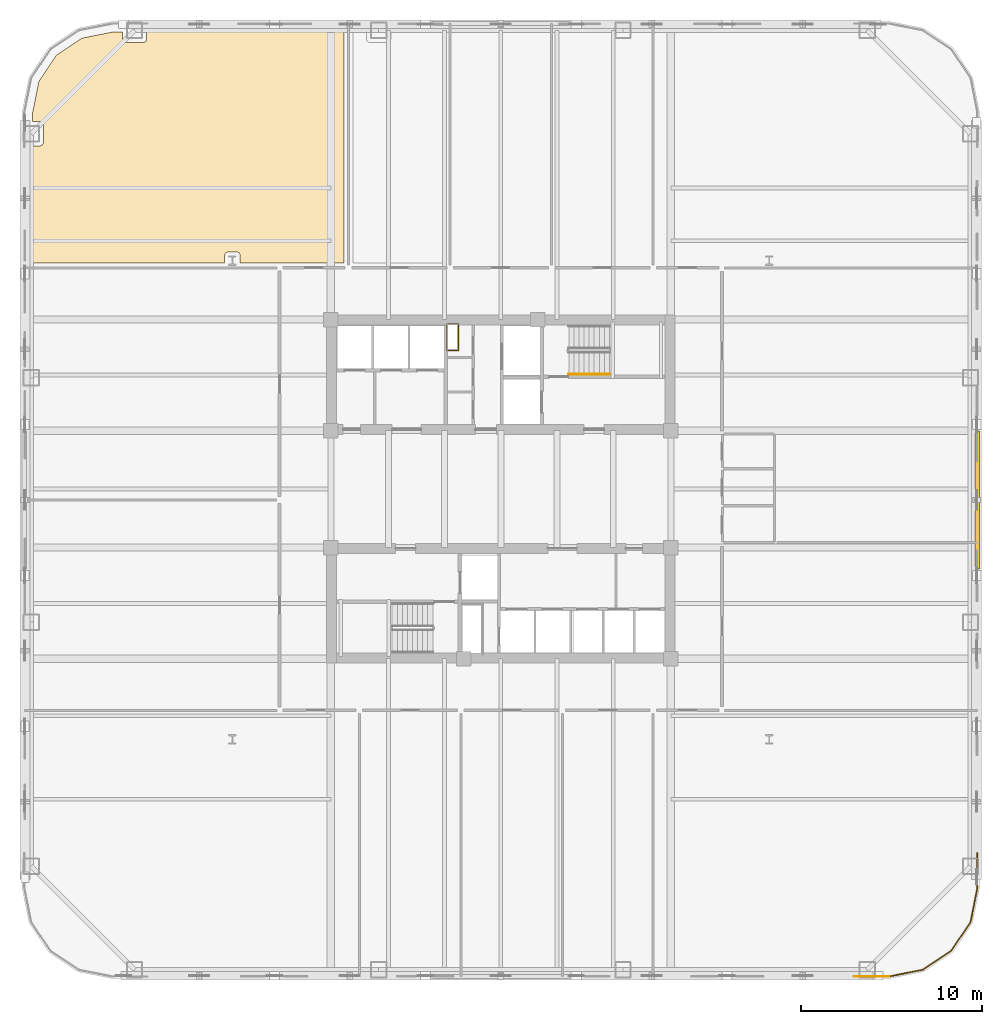
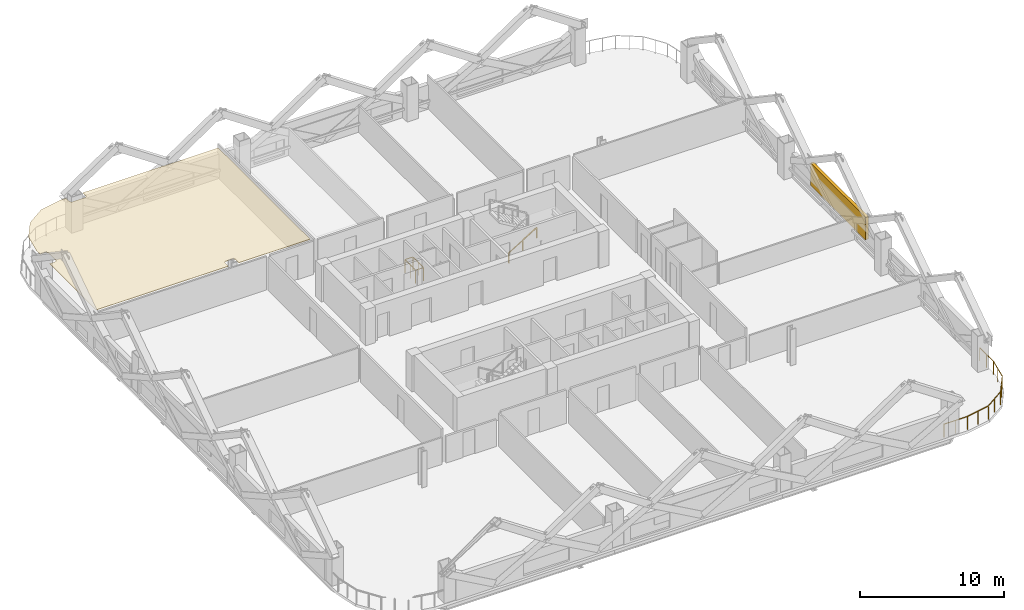
# One storey, part 11 of 14: 4 railings, 1 covering, 1 shading device.
"""IFC4 building model written with IfcOpenShell, lengths in metres."""

from ifc_helpers import new_model, si_unit, direction, frame, origin, origin_2d, place, context, subcontext, project, spatial, polyline, rectangle, outline, extrude, material, layer, layer_set, type_object, element, save


model = new_model("IFC4")

# Units and contexts
model_context = context("Model", 3, precision=1e-05, world=origin(), true_north=direction((0.0, 1.0)))
body_context = subcontext(model_context, "Body", "Model", "MODEL_VIEW")
ifc_project = project(units=[si_unit("LENGTHUNIT", "METRE"), si_unit("AREAUNIT", "SQUARE_METRE"), si_unit("VOLUMEUNIT", "CUBIC_METRE"), si_unit("PLANEANGLEUNIT", "RADIAN"), si_unit("MASSUNIT", "GRAM", prefix="KILO")], contexts=[model_context])

# Site, building, storey
site_placement = place(None, origin())
site = spatial("IfcSite", under=ifc_project, at=site_placement, CompositionType="ELEMENT")
building_placement = place(site_placement, origin())
building = spatial("IfcBuilding", under=site, at=building_placement, Name="Qhalaya Broadcast Tower", CompositionType="ELEMENT")
storey_placement = place(building_placement, frame((0.0, 0.0, 38.300048828125)))
storey = spatial("IfcBuildingStorey", under=building, at=storey_placement, Name="L10", CompositionType="ELEMENT", Elevation=38.300048828125)

# Covering
ifc_material_1 = material(Name="Acoustic Mineral-Fibre Ceiling")
ifc_layer = layer(ifc_material_1, 0.0400390625, Name="Acoustic Mineral-Fibre Ceiling")
ifc_layer_set = layer_set([ifc_layer], Name="Acoustic Mineral-Fibre Ceiling")
covering_type = type_object("IfcCoveringType", Name="Acoustic Mineral-Fibre Suspended Ceiling CLG-01", PredefinedType="CEILING", material=ifc_layer_set)
covering_placement = place(storey_placement, frame((0.0, 0.0, 2.7900390625)))
element("IfcCovering", 1, at=covering_placement, inside=storey, type_object=covering_type, Name="L10 Acoustic Suspended Ceiling 01", PredefinedType="CEILING", context=body_context, shape_type="SweptSolid", body=[
    extrude(outline(polyline([(-25.820068359375, 19.530029296875), (-25.820068359375, 13.06005859375), (-15.22900390625, 13.06005859375), (-15.22900390625, 13.47509765625), (-15.22802734375, 13.49462890625), (-15.22509765625, 13.513916015625), (-15.220458984375, 13.533203125), (-15.2138671875, 13.551513671875), (-15.205322265625, 13.5693359375), (-15.1953125, 13.586181640625), (-15.18359375, 13.601806640625), (-15.17041015625, 13.616455078125), (-15.156005859375, 13.629638671875), (-15.14013671875, 13.641357421875), (-15.123291015625, 13.6513671875), (-15.10546875, 13.659912109375), (-15.087158203125, 13.66650390625), (-15.068115234375, 13.671142578125), (-15.048583984375, 13.674072265625), (-15.029052734375, 13.675048828125), (-14.571044921875, 13.675048828125), (-14.551513671875, 13.674072265625), (-14.531982421875, 13.671142578125), (-14.512939453125, 13.66650390625), (-14.494384765625, 13.659912109375), (-14.476806640625, 13.6513671875), (-14.4599609375, 13.641357421875), (-14.444091796875, 13.629638671875), (-14.4296875, 13.616455078125), (-14.41650390625, 13.601806640625), (-14.40478515625, 13.586181640625), (-14.39453125, 13.5693359375), (-14.38623046875, 13.551513671875), (-14.379638671875, 13.533203125), (-14.374755859375, 13.513916015625), (-14.3720703125, 13.49462890625), (-14.37109375, 13.47509765625), (-14.37109375, 13.06005859375), (-8.659912109375, 13.06005859375), (-8.659912109375, 25.820068359375), (-19.530029296875, 25.820068359375), (-19.530029296875, 25.429931640625), (-19.531005859375, 25.410400390625), (-19.53369140625, 25.39111328125), (-19.53857421875, 25.371826171875), (-19.545166015625, 25.353515625), (-19.5537109375, 25.335693359375), (-19.563720703125, 25.31884765625), (-19.575439453125, 25.302978515625), (-19.588623046875, 25.28857421875), (-19.60302734375, 25.275390625), (-19.618896484375, 25.263671875), (-19.6357421875, 25.253662109375), (-19.653564453125, 25.2451171875), (-19.671875, 25.238525390625), (-19.69091796875, 25.23388671875), (-19.71044921875, 25.23095703125), (-19.72998046875, 25.22998046875), (-20.669921875, 25.22998046875), (-20.689697265625, 25.23095703125), (-20.708984375, 25.23388671875), (-20.72802734375, 25.238525390625), (-20.74658203125, 25.2451171875), (-20.764404296875, 25.253662109375), (-20.781005859375, 25.263671875), (-20.796875, 25.275390625), (-20.811279296875, 25.28857421875), (-20.82470703125, 25.302978515625), (-20.836181640625, 25.31884765625), (-20.846435546875, 25.335693359375), (-20.854736328125, 25.353515625), (-20.861328125, 25.371826171875), (-20.8662109375, 25.39111328125), (-20.868896484375, 25.410400390625), (-20.8701171875, 25.429931640625), (-20.8701171875, 25.820068359375), (-21.343017578125, 25.820068359375), (-23.087158203125, 25.472900390625), (-24.517333984375, 24.517333984375), (-25.472900390625, 23.087158203125), (-25.820068359375, 21.343017578125), (-25.820068359375, 20.8701171875), (-25.429931640625, 20.8701171875), (-25.410400390625, 20.868896484375), (-25.39111328125, 20.8662109375), (-25.371826171875, 20.861328125), (-25.353515625, 20.854736328125), (-25.335693359375, 20.846435546875), (-25.31884765625, 20.836181640625), (-25.302978515625, 20.82470703125), (-25.28857421875, 20.811279296875), (-25.275390625, 20.796875), (-25.263671875, 20.781005859375), (-25.253662109375, 20.764404296875), (-25.2451171875, 20.74658203125), (-25.238525390625, 20.72802734375), (-25.23388671875, 20.708984375), (-25.23095703125, 20.689697265625), (-25.22998046875, 20.669921875), (-25.22998046875, 19.72998046875), (-25.23095703125, 19.71044921875), (-25.23388671875, 19.69091796875), (-25.238525390625, 19.671875), (-25.2451171875, 19.653564453125), (-25.253662109375, 19.6357421875), (-25.263671875, 19.618896484375), (-25.275390625, 19.60302734375), (-25.28857421875, 19.588623046875), (-25.302978515625, 19.575439453125), (-25.31884765625, 19.563720703125), (-25.335693359375, 19.5537109375), (-25.353515625, 19.545166015625), (-25.371826171875, 19.53857421875), (-25.39111328125, 19.53369140625), (-25.410400390625, 19.531005859375), (-25.429931640625, 19.530029296875), (-25.820068359375, 19.530029296875)])), origin(), (0.0, 0.0, 1.0), 0.039794921875),
])

# Railings
ifc_material_2 = material(Name="Powder-Coated Galvanised Steel", Category="steel")
railing_type_1 = type_object("IfcRailingType", Name="Stair Wall Handrail 900", PredefinedType="HANDRAIL", material=ifc_material_2)
railing_1_placement = place(storey_placement, frame((3.75, 6.929931640625, 0.16943359375)))
element("IfcRailing", 2, at=railing_1_placement, inside=storey, type_object=railing_type_1, Name="L10 ST-1 Stair Handrail 1", PredefinedType="HANDRAIL", context=body_context, shape_type="SweptSolid", body=[
    extrude(rectangle(XDim=0.048095703125, YDim=0.048095703125, at=origin_2d()), frame((0.0, 0.0, 0.8759765625), z_axis=(0.855553338991, 0.0, 0.51771467445), x_axis=(0.0, 1.0, 0.0)), (0.0, 0.0, 1.0), 2.6181640625),
    extrude(rectangle(XDim=0.0419921875, YDim=0.0419921875, at=origin_2d()), origin(), (0.0, 0.0, 1.0), 0.849853515625),
    extrude(rectangle(XDim=0.0419921875, YDim=0.0419921875, at=origin_2d()), frame((1.1201171875, 0.0, 0.677734375)), (0.0, 0.0, 1.0), 0.849853515625),
    extrude(rectangle(XDim=0.0419921875, YDim=0.0419921875, at=origin_2d()), frame((2.239990234375, 0.0, 1.35546875)), (0.0, 0.0, 1.0), 0.849853515625),
])
railing_type_2 = type_object("IfcRailingType", Name="Stair Well & Landing Guardrail 1100", PredefinedType="GUARDRAIL", material=ifc_material_2)
railing_2_placement = place(storey_placement, frame((-2.340087890625, 8.239990234375, 0.0)))
element("IfcRailing", 3, at=railing_2_placement, inside=storey, type_object=railing_type_2, Name="L10 Service Riser Opening Safety Guard NRSR", PredefinedType="GUARDRAIL", context=body_context, shape_type="SweptSolid", body=[
    extrude(rectangle(XDim=0.048095703125, YDim=0.048095703125, at=origin_2d()), frame((0.0, 0.02880859375, 1.1259765625), z_axis=(0.0, 1.0, 0.0), x_axis=(-1.0, 0.0, 0.0)), (0.0, 0.0, 1.0), 1.42236328125),
    extrude(rectangle(XDim=0.048095703125, YDim=0.048095703125, at=origin_2d()), frame((-0.02880859375, 1.47998046875, 1.1259765625), z_axis=(-1.0, 0.0, 0.0), x_axis=(0.0, -1.0, 0.0)), (0.0, 0.0, 1.0), 0.582275390625),
    extrude(rectangle(XDim=0.048095703125, YDim=0.048095703125, at=origin_2d()), frame((-0.639892578125, 1.451171875, 1.1259765625), z_axis=(0.0, -1.0, 0.0), x_axis=(1.0, 0.0, 0.0)), (0.0, 0.0, 1.0), 1.42236328125),
    extrude(rectangle(XDim=0.048095703125, YDim=0.048095703125, at=origin_2d()), frame((-0.611083984375, 0.0, 1.1259765625), z_axis=(1.0, 0.0, 0.0), x_axis=(0.0, 1.0, 0.0)), (0.0, 0.0, 1.0), 0.582275390625),
    extrude(rectangle(XDim=0.0419921875, YDim=0.0419921875, at=origin_2d()), origin(), (0.0, 0.0, 1.0), 1.099853515625),
    extrude(rectangle(XDim=0.0419921875, YDim=0.0419921875, at=origin_2d()), frame((0.0, 0.739990234375, 0.0)), (0.0, 0.0, 1.0), 1.099853515625),
    extrude(rectangle(XDim=0.0419921875, YDim=0.0419921875, at=origin_2d()), frame((0.0, 1.47998046875, 0.0)), (0.0, 0.0, 1.0), 1.099853515625),
    extrude(rectangle(XDim=0.0419921875, YDim=0.0419921875, at=origin_2d()), frame((-0.639892578125, 1.47998046875, 0.0)), (0.0, 0.0, 1.0), 1.099853515625),
    extrude(rectangle(XDim=0.0419921875, YDim=0.0419921875, at=origin_2d()), frame((-0.639892578125, 0.739990234375, 0.0)), (0.0, 0.0, 1.0), 1.099853515625),
    extrude(rectangle(XDim=0.0419921875, YDim=0.0419921875, at=origin_2d()), frame((-0.639892578125, 0.0, 0.0)), (0.0, 0.0, 1.0), 1.099853515625),
])
railing_type_3 = type_object("IfcRailingType", Name="Terrace, Sky-Pool & Lookout Glass Balustrade 1150", PredefinedType="BALUSTRADE", material=ifc_material_2)
railing_3_placement = place(storey_placement, frame((21.38818359375, -26.280029296875, 0.0)))
element("IfcRailing", 4, at=railing_3_placement, inside=storey, type_object=railing_type_3, Name="L10 Rounded Corner Perimeter Guard 01", PredefinedType="BALUSTRADE", context=body_context, shape_type="SweptSolid", body=[
    extrude(rectangle(XDim=0.048095703125, YDim=0.048095703125, at=origin_2d()), frame((0.0, 0.0, 1.1259765625), z_axis=(-1.0, 0.0, 0.0), x_axis=(0.0, -1.0, 0.0)), (0.0, 0.0, 1.0), 1.90625),
    extrude(rectangle(XDim=0.0419921875, YDim=0.0419921875, at=origin_2d()), origin(), (0.0, 0.0, 1.0), 1.099853515625),
    extrude(rectangle(XDim=0.0419921875, YDim=0.0419921875, at=origin_2d()), frame((-0.953125, 0.0, 0.0)), (0.0, 0.0, 1.0), 1.099853515625),
    extrude(rectangle(XDim=0.0419921875, YDim=0.0419921875, at=origin_2d()), frame((-1.90625, 0.0, 0.0)), (0.0, 0.0, 1.0), 1.099853515625),
])
railing_4_placement = place(storey_placement, frame((26.280029296875, -19.48193359375, 0.0)))
element("IfcRailing", 5, at=railing_4_placement, inside=storey, type_object=railing_type_3, Name="L10 Rounded Corner Perimeter Guard 05", PredefinedType="BALUSTRADE", context=body_context, shape_type="SweptSolid", body=[
    extrude(rectangle(XDim=0.048095703125, YDim=0.048095703125, at=origin_2d()), frame((0.0, 0.0, 1.1259765625), z_axis=(0.0, -1.0, 0.0), x_axis=(1.0, 0.0, 0.0)), (0.0, 0.0, 1.0), 1.87744140625),
    extrude(rectangle(XDim=0.048095703125, YDim=0.048095703125, at=origin_2d()), frame((-0.005615234375, -1.9345703125, 1.1259765625), z_axis=(-0.195037378397, -0.980795810058, 0.0), x_axis=(0.980795810058, -0.195037378397, 0.0)), (0.0, 0.0, 1.0), 1.857421875),
    extrude(rectangle(XDim=0.048095703125, YDim=0.048095703125, at=origin_2d()), frame((-0.3896484375, -3.80859375, 1.1259765625), z_axis=(-0.555558355728, -0.831477548332, 0.0), x_axis=(0.831477548332, -0.555558355728, 0.0)), (0.0, 0.0, 1.0), 1.845458984375),
    extrude(rectangle(XDim=0.048095703125, YDim=0.048095703125, at=origin_2d()), frame((-1.454833984375, -5.38330078125, 1.1259765625), z_axis=(-0.831477548332, -0.555558355728, 0.0), x_axis=(0.555558355728, -0.831477548332, 0.0)), (0.0, 0.0, 1.0), 1.845458984375),
    extrude(rectangle(XDim=0.048095703125, YDim=0.048095703125, at=origin_2d()), frame((-3.041748046875, -6.43017578125, 1.1259765625), z_axis=(-0.980795810058, -0.195037378397, 0.0), x_axis=(0.195037378397, -0.980795810058, 0.0)), (0.0, 0.0, 1.0), 1.88623046875),
    extrude(rectangle(XDim=0.0419921875, YDim=0.0419921875, at=origin_2d()), origin(), (0.0, 0.0, 1.0), 1.099853515625),
    extrude(rectangle(XDim=0.0419921875, YDim=0.0419921875, at=origin_2d()), frame((0.0, -0.953125, 0.0)), (0.0, 0.0, 1.0), 1.099853515625),
    extrude(rectangle(XDim=0.0419921875, YDim=0.0419921875, at=origin_2d()), frame((0.0, -1.90625, 0.0)), (0.0, 0.0, 1.0), 1.099853515625),
    extrude(rectangle(XDim=0.0419921875, YDim=0.0419921875, at=origin_2d()), frame((-0.186767578125, -2.845458984375, 0.0)), (0.0, 0.0, 1.0), 1.099853515625),
    extrude(rectangle(XDim=0.0419921875, YDim=0.0419921875, at=origin_2d()), frame((-0.37353515625, -3.78466796875, 0.0)), (0.0, 0.0, 1.0), 1.099853515625),
    extrude(rectangle(XDim=0.0419921875, YDim=0.0419921875, at=origin_2d()), frame((-0.90234375, -4.575927734375, 0.0)), (0.0, 0.0, 1.0), 1.099853515625),
    extrude(rectangle(XDim=0.0419921875, YDim=0.0419921875, at=origin_2d()), frame((-1.430908203125, -5.3671875, 0.0)), (0.0, 0.0, 1.0), 1.099853515625),
    extrude(rectangle(XDim=0.0419921875, YDim=0.0419921875, at=origin_2d()), frame((-2.22216796875, -5.89599609375, 0.0)), (0.0, 0.0, 1.0), 1.099853515625),
    extrude(rectangle(XDim=0.0419921875, YDim=0.0419921875, at=origin_2d()), frame((-3.013427734375, -6.424560546875, 0.0)), (0.0, 0.0, 1.0), 1.099853515625),
    extrude(rectangle(XDim=0.0419921875, YDim=0.0419921875, at=origin_2d()), frame((-3.95263671875, -6.611328125, 0.0)), (0.0, 0.0, 1.0), 1.099853515625),
    extrude(rectangle(XDim=0.0419921875, YDim=0.0419921875, at=origin_2d()), frame((-4.891845703125, -6.798095703125, 0.0)), (0.0, 0.0, 1.0), 1.099853515625),
])

# Shading device
ifc_material_3 = material(Name="Fired Architectural Terracotta", Category="masonry")
shading_device_type = type_object("IfcShadingDeviceType", Name="Terracotta Baguette Solar Screen Assembly TBS-01", PredefinedType="USERDEFINED", material=ifc_material_3)
shading_device_placement = place(storey_placement, frame((26.280029296875, 0.0, 0.79248046875), z_axis=(0.0, 0.0, 1.0), x_axis=(0.0, 1.0, 0.0)))
element("IfcShadingDevice", 6, at=shading_device_placement, inside=storey, type_object=shading_device_type, Name="L10 Fired Terracotta Baguette Screen E", ObjectType="BAGUETTE", PredefinedType="USERDEFINED", context=body_context, shape_type="SweptSolid", body=[
    extrude(rectangle(XDim=7.60009765625, YDim=0.239990234375, at=origin_2d()), origin(), (0.0, 0.0, 1.0), 1.924072265625),
])

save(model, "model.ifc")
